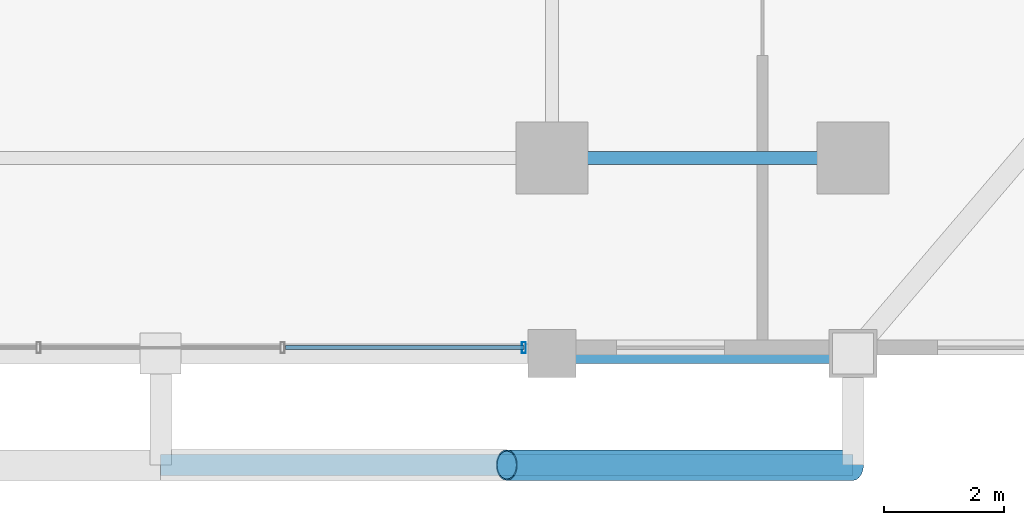
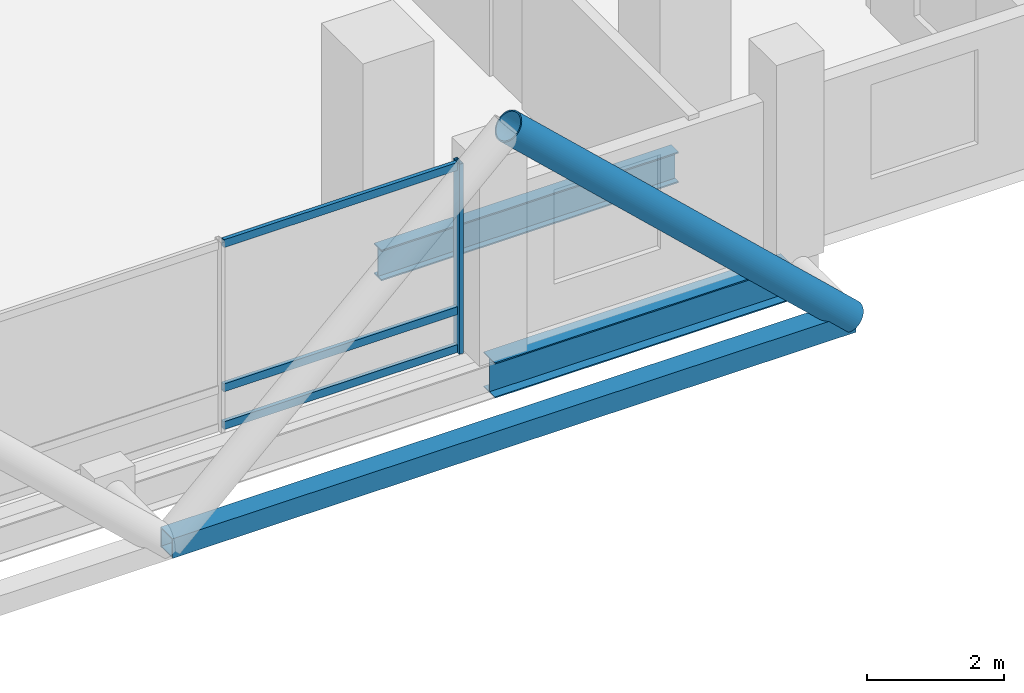
# One storey, part 3 of 24: 6 members, 2 beams, 1 element without a shape of its own.
"""IFC4 building model written with IfcOpenShell, lengths in metres."""

from ifc_helpers import new_model, si_unit, direction, frame, origin, origin_2d, place, context, subcontext, project, spatial, hollow_rectangle, hollow_circle, i_section, extrude, material, layer, layer_set, material_profile, profile_set, type_object, element, aggregate, save


model = new_model("IFC4")

# Units and contexts
model_context = context("Model", 3, precision=1e-05, world=origin(), true_north=direction((0.0, 1.0)))
body_context = subcontext(model_context, "Body", "Model", "MODEL_VIEW")
ifc_project = project(units=[si_unit("LENGTHUNIT", "METRE"), si_unit("AREAUNIT", "SQUARE_METRE"), si_unit("VOLUMEUNIT", "CUBIC_METRE"), si_unit("PLANEANGLEUNIT", "RADIAN"), si_unit("MASSUNIT", "GRAM", prefix="KILO")], contexts=[model_context])

# Site, building, storey
site_placement = place(None, origin())
site = spatial("IfcSite", under=ifc_project, at=site_placement, CompositionType="ELEMENT")
building_placement = place(site_placement, origin())
building = spatial("IfcBuilding", under=site, at=building_placement, Name="Barlavira Tower and Art Museum", CompositionType="ELEMENT")
storey_placement = place(building_placement, frame((0.0, 0.0, 109.800048828125)))
storey = spatial("IfcBuildingStorey", under=building, at=storey_placement, Name="L27", CompositionType="ELEMENT", Elevation=109.800048828125)

# Curtain wall, members
ifc_material_1 = material(Name="Low-iron coastal laminated glass", Category="glass")
ifc_layer = layer(ifc_material_1, 0.18994140625, Name="Low-iron coastal laminated glass")
ifc_layer_set = layer_set([ifc_layer], Name="Low-iron coastal laminated glass")
curtain_wall_type = type_object("IfcCurtainWallType", Name="Pale-Metal Unitised Curtain Wall Zone 2", PredefinedType="NOTDEFINED", material=ifc_layer_set)
curtain_wall_placement = place(storey_placement, origin())
curtain_wall = element("IfcCurtainWall", 1, at=curtain_wall_placement, inside=storey, type_object=curtain_wall_type, Name="L27 Curtain Wall CW2-L27-S-B3", PredefinedType="NOTDEFINED")
ifc_material_2 = material(Name="Pale anodised aluminium", Category="aluminium")
ifc_material_profile_1 = material_profile(ifc_material_2, hollow_rectangle(XDim=0.06494140625, YDim=0.179931640625, WallThickness=0.00390625, at=origin_2d()), Name="ALU-MULL 65x180x4")
ifc_profile_set_1 = profile_set([ifc_material_profile_1], Name="Pale anodised aluminium")
member_type_1 = type_object("IfcMemberType", Name="Curtain Wall Pale-Metal Mullion 65x180", PredefinedType="MULLION", material=ifc_profile_set_1)
member_1_placement = place(storey_placement, frame((6.034912109375, -23.14990234375, 0.0), z_axis=(0.0, 0.0, 1.0), x_axis=(1.0, 0.0, 0.0)))
member_1 = element("IfcMember", 2, at=member_1_placement, type_object=member_type_1, Name="CW2-L27-S-B3 Mullion 3", PredefinedType="MULLION", context=body_context, shape_type="SweptSolid", body=[
    extrude(hollow_rectangle(XDim=0.06494140625, YDim=0.179931640625, WallThickness=0.00390625, at=origin_2d()), origin(), (0.0, 0.0, 1.0), 3.3798828125),
])
ifc_material_profile_2 = material_profile(ifc_material_2, hollow_rectangle(XDim=0.06494140625, YDim=0.139892578125, WallThickness=0.00390625, at=origin_2d()), Name="ALU-TRAN 65x140x4")
ifc_profile_set_2 = profile_set([ifc_material_profile_2], Name="Pale anodised aluminium")
member_type_2 = type_object("IfcMemberType", Name="Curtain Wall Pale-Metal Transom 65x140", PredefinedType="USERDEFINED", material=ifc_profile_set_2)
member_2_placement = place(storey_placement, frame((2.07177734375, -23.14990234375, 0.070068359375), z_axis=(1.0, 0.0, 0.0), x_axis=(0.0, 1.0, 0.0)))
member_2 = element("IfcMember", 3, at=member_2_placement, type_object=member_type_2, Name="CW2-L27-S-B3 Transom 2.1", ObjectType="TRANSOM", PredefinedType="USERDEFINED", context=body_context, shape_type="SweptSolid", body=[
    extrude(hollow_rectangle(XDim=0.06494140625, YDim=0.139892578125, WallThickness=0.00390625, at=origin_2d()), origin(), (0.0, 0.0, 1.0), 3.963134765625),
])
member_3_placement = place(storey_placement, frame((2.07177734375, -23.14990234375, 0.743896484375), z_axis=(1.0, 0.0, 0.0), x_axis=(0.0, 1.0, 0.0)))
member_3 = element("IfcMember", 4, at=member_3_placement, type_object=member_type_2, Name="CW2-L27-S-B3 Transom 2.2", ObjectType="TRANSOM", PredefinedType="USERDEFINED", context=body_context, shape_type="SweptSolid", body=[
    extrude(hollow_rectangle(XDim=0.06494140625, YDim=0.139892578125, WallThickness=0.00390625, at=origin_2d()), origin(), (0.0, 0.0, 1.0), 3.963134765625),
])
member_4_placement = place(storey_placement, frame((2.07177734375, -23.14990234375, 3.31005859375), z_axis=(1.0, 0.0, 0.0), x_axis=(0.0, 1.0, 0.0)))
member_4 = element("IfcMember", 5, at=member_4_placement, type_object=member_type_2, Name="CW2-L27-S-B3 Transom 2.3", ObjectType="TRANSOM", PredefinedType="USERDEFINED", context=body_context, shape_type="SweptSolid", body=[
    extrude(hollow_rectangle(XDim=0.06494140625, YDim=0.139892578125, WallThickness=0.00390625, at=origin_2d()), origin(), (0.0, 0.0, 1.0), 3.963134765625),
])
aggregate(curtain_wall, [member_1, member_2, member_3, member_4])

# Members
ifc_material_3 = material(Name="Steel S355", Category="steel")
ifc_material_profile_3 = material_profile(ifc_material_3, hollow_circle(Radius=0.25390625, WallThickness=0.022216796875, at=origin_2d()), Name="CHS 508.0x22.2")
ifc_profile_set_3 = profile_set([ifc_material_profile_3], Name="Steel S355")
member_type_3 = type_object("IfcMemberType", Name="Pale-Metal Exoskeleton Diagrid Tube CHS 508x22 Steel S355", PredefinedType="BRACE", material=ifc_profile_set_3)
member_5_placement = place(storey_placement, frame((11.5, -25.10009765625, -0.1201171875), z_axis=(-0.728934650808, 0.0, 0.684583285548), x_axis=(0.0, -1.0, 0.0)))
element("IfcMember", 6, at=member_5_placement, inside=storey, type_object=member_type_3, Name="L27 Exoskeleton Diagrid Tube S", PredefinedType="BRACE", context=body_context, shape_type="SweptSolid", body=[
    extrude(hollow_circle(Radius=0.25390625, WallThickness=0.022216796875, at=origin_2d()), origin(), (0.0, 0.0, 1.0), 7.88818359375),
])
ifc_material_profile_4 = material_profile(ifc_material_3, hollow_rectangle(XDim=0.35009765625, YDim=0.35009765625, WallThickness=0.02001953125, at=origin_2d()), Name="SHS 350x350x20.0")
ifc_profile_set_4 = profile_set([ifc_material_profile_4], Name="Steel S355")
member_type_4 = type_object("IfcMemberType", Name="Pale-Metal Exoskeleton Ring Strut SHS 350x350x20 Steel S355", PredefinedType="STRUT", material=ifc_profile_set_4)
member_6_placement = place(storey_placement, frame((0.0, -25.10009765625, -0.1201171875), z_axis=(1.0, 0.0, 0.0), x_axis=(0.0, 1.0, 0.0)))
element("IfcMember", 7, at=member_6_placement, inside=storey, type_object=member_type_4, Name="L27 Exoskeleton Ring Strut S", PredefinedType="STRUT", context=body_context, shape_type="SweptSolid", body=[
    extrude(hollow_rectangle(XDim=0.35009765625, YDim=0.35009765625, WallThickness=0.02001953125, at=origin_2d()), origin(), (0.0, 0.0, 1.0), 11.5),
])

# Beams
ifc_material_profile_5 = material_profile(ifc_material_3, i_section(OverallWidth=0.327880859375, OverallDepth=0.62890625, WebThickness=0.013916015625, FlangeThickness=0.021484375, at=origin_2d()), Name="W610x174.0")
ifc_profile_set_5 = profile_set([ifc_material_profile_5], Name="Steel S355")
beam_type_1 = type_object("IfcBeamType", Name="Perimeter Spandrel Edge Beam W610x174 Steel S355", PredefinedType="SPANDREL", material=ifc_profile_set_5)
beam_1_placement = place(storey_placement, frame((6.5, -23.25, -0.53466796875), z_axis=(1.0, 0.0, 0.0), x_axis=(0.0, 1.0, 0.0)))
element("IfcBeam", 8, at=beam_1_placement, inside=storey, type_object=beam_type_1, Name="L27 Spandrel 3", PredefinedType="SPANDREL", context=body_context, shape_type="SweptSolid", body=[
    extrude(i_section(OverallWidth=0.327880859375, OverallDepth=0.62890625, WebThickness=0.013916015625, FlangeThickness=0.021484375, at=origin_2d()), origin(), (0.0, 0.0, 1.0), 5.0),
])
ifc_material_profile_6 = material_profile(ifc_material_3, i_section(OverallWidth=0.214111328125, OverallDepth=0.549072265625, WebThickness=0.0146484375, FlangeThickness=0.023681640625, at=origin_2d()), Name="W530x138.0")
ifc_profile_set_6 = profile_set([ifc_material_profile_6], Name="Steel S355")
beam_type_2 = type_object("IfcBeamType", Name="Zone 1 Primary Floor Girder W530x138 Steel S355", PredefinedType="BEAM", material=ifc_profile_set_6)
beam_2_placement = place(storey_placement, frame((6.5, -20.0, -0.49462890625), z_axis=(1.0, 0.0, 0.0), x_axis=(0.0, 1.0, 0.0)))
element("IfcBeam", 9, at=beam_2_placement, inside=storey, type_object=beam_type_2, Name="L27 Girder M-S3", PredefinedType="BEAM", context=body_context, shape_type="SweptSolid", body=[
    extrude(i_section(OverallWidth=0.214111328125, OverallDepth=0.549072265625, WebThickness=0.0146484375, FlangeThickness=0.023681640625, at=origin_2d()), origin(), (0.0, 0.0, 1.0), 5.0),
])

save(model, "model.ifc")
